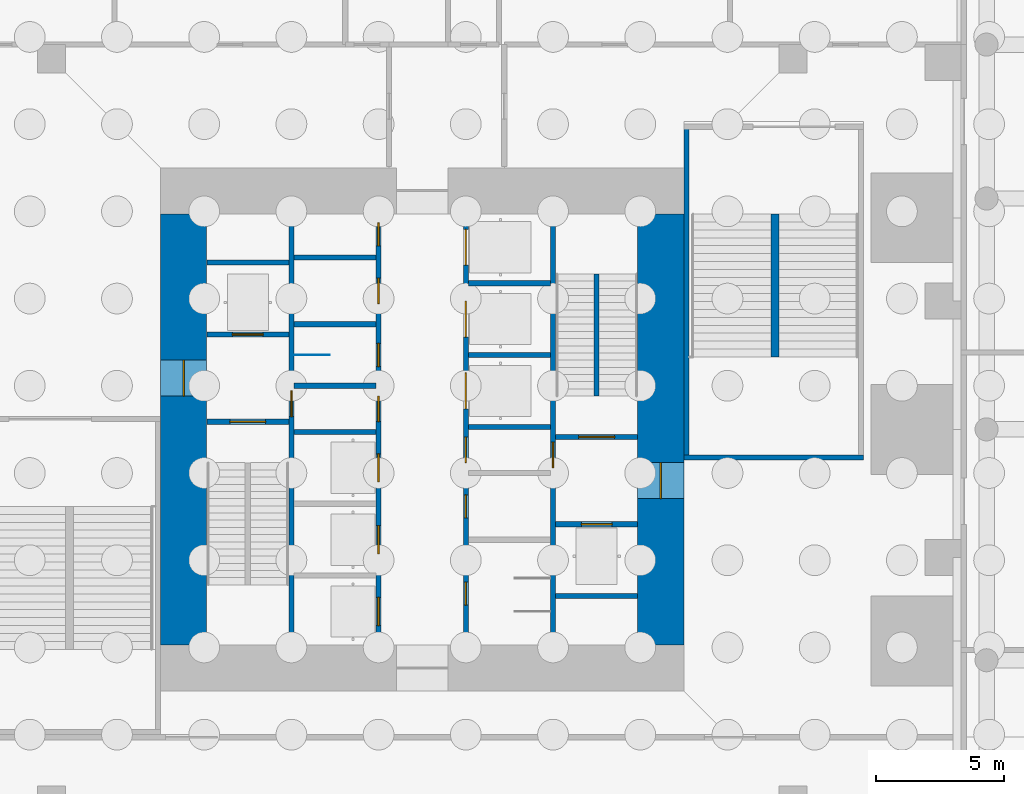
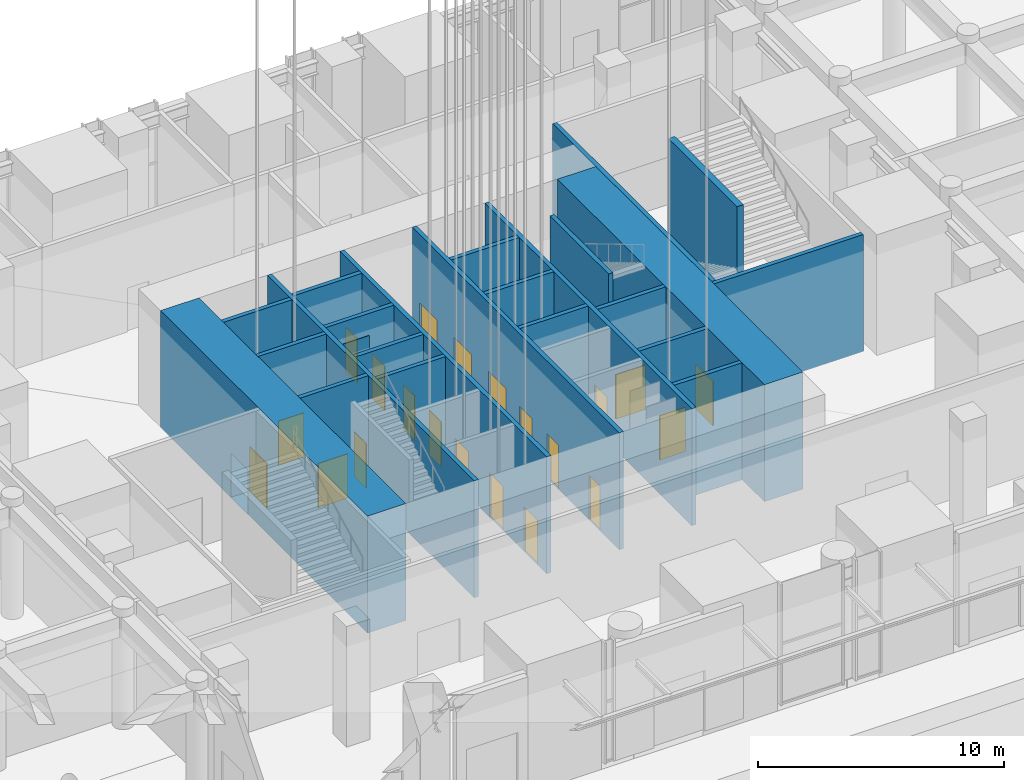
# One storey, part 23 of 46: 24 walls, 21 doors, 21 openings.
"""IFC4 building model written with IfcOpenShell, lengths in metres."""

from ifc_helpers import new_model, si_unit, direction, frame, frame_2d, origin, place, context, subcontext, project, spatial, rectangle, extrude, material, layer, layer_set, type_object, element, fill, save


model = new_model("IFC4")

# Units and contexts
model_context = context("Model", 3, precision=1e-05, world=origin(), true_north=direction((0.0, 1.0)))
body_context = subcontext(model_context, "Body", "Model", "MODEL_VIEW")
ifc_project = project(units=[si_unit("LENGTHUNIT", "METRE"), si_unit("AREAUNIT", "SQUARE_METRE"), si_unit("VOLUMEUNIT", "CUBIC_METRE"), si_unit("PLANEANGLEUNIT", "RADIAN"), si_unit("MASSUNIT", "GRAM", prefix="KILO")], contexts=[model_context])

# Site, building, storey
site_placement = place(None, origin())
site = spatial("IfcSite", under=ifc_project, at=site_placement, CompositionType="ELEMENT")
building_placement = place(site_placement, origin())
building = spatial("IfcBuilding", under=site, at=building_placement, Name="Svetlomir Tower", CompositionType="ELEMENT")
storey_placement = place(building_placement, origin())
storey = spatial("IfcBuildingStorey", under=building, at=storey_placement, Name="L00", CompositionType="ELEMENT", Elevation=0.0)

# Wall, opening, door
ifc_material_1 = material(Name="Concrete C60/75", Category="concrete")
ifc_layer_1 = layer(ifc_material_1, 0.199951171875)
ifc_layer_set_1 = layer_set([ifc_layer_1], Name="Concrete C60/75")
wall_type_1 = type_object("IfcWallType", Name="CORE INNER WALL 200", PredefinedType="SHEAR", material=ifc_layer_set_1)
wall_1_placement = place(storey_placement, frame((15.89990234375, 12.60009765625, 0.0), z_axis=(0.0, 0.0, 1.0), x_axis=(0.0, 1.0, 0.0)))
wall_1 = element("IfcWall", 1, at=wall_1_placement, inside=storey, type_object=wall_type_1, Name="Core inner wall 15.9 L00", PredefinedType="SHEAR", context=body_context, shape_type="SweptSolid", body=[
    extrude(rectangle(XDim=16.7998046875, YDim=0.199951171875, at=frame_2d((8.39990234375, 0.0))), origin(), (0.0, 0.0, 1.0), 5.800048828125),
])
opening_1_placement = place(wall_1_placement, frame((8.89990234375, 0.0, 0.0)))
opening_1 = element("IfcOpeningElement", 2, at=opening_1_placement, cuts=wall_1, Name="Opening DF", PredefinedType="OPENING", context=body_context, shape_type="SweptSolid", body=[
    extrude(rectangle(XDim=1.0, YDim=2.199951171875, at=frame_2d((0.5, 1.10009765625))), frame((0.0, 0.10986328125, 0.0), z_axis=(0.0, -1.0, 0.0), x_axis=(1.0, 0.0, 0.0)), (0.0, 0.0, 1.0), 0.219970703125),
])
ifc_material_2 = material(Name="Steel fire door", Category="steel")
door_type_1 = type_object("IfcDoorType", Name="DOOR DF 1000x2200", OperationType="SINGLE_SWING_LEFT", PredefinedType="DOOR", material=ifc_material_2)
door_1_placement = place(opening_1_placement, origin())
door_1 = element("IfcDoor", 3, at=door_1_placement, inside=storey, type_object=door_type_1, Name="Core corridor west door L00", OperationType="SINGLE_SWING_LEFT", OverallHeight=2.199951171875, OverallWidth=1.0, PredefinedType="DOOR", context=body_context, shape_type="SweptSolid", body=[
    extrude(rectangle(XDim=1.0, YDim=2.199951171875, at=frame_2d((0.5, 1.10009765625))), frame((0.0, 0.02490234375, 0.0), z_axis=(0.0, -1.0, 0.0), x_axis=(1.0, 0.0, 0.0)), (0.0, 0.0, 1.0), 0.050048828125),
])
fill(opening_1, door_1)

# Wall, openings, doors
wall_2_placement = place(storey_placement, frame((19.300048828125, 12.60009765625, 0.0), z_axis=(0.0, 0.0, 1.0), x_axis=(0.0, 1.0, 0.0)))
wall_2 = element("IfcWall", 4, at=wall_2_placement, inside=storey, type_object=wall_type_1, Name="Core inner wall 19.3 L00", PredefinedType="SHEAR", context=body_context, shape_type="SweptSolid", body=[
    extrude(rectangle(XDim=16.7998046875, YDim=0.199951171875, at=frame_2d((8.39990234375, 0.0))), origin(), (0.0, 0.0, 1.0), 5.800048828125),
])
opening_2_placement = place(wall_2_placement, frame((8.699951171875, 0.0, 0.0)))
opening_2 = element("IfcOpeningElement", 5, at=opening_2_placement, cuts=wall_2, Name="Opening DC", PredefinedType="OPENING", context=body_context, shape_type="SweptSolid", body=[
    extrude(rectangle(XDim=1.0, YDim=2.199951171875, at=frame_2d((0.5, 1.10009765625))), frame((0.0, 0.10986328125, 0.0), z_axis=(0.0, -1.0, 0.0), x_axis=(1.0, 0.0, 0.0)), (0.0, 0.0, 1.0), 0.219970703125),
])
opening_3_placement = place(wall_2_placement, frame((10.85009765625, 0.0, 0.0)))
opening_3 = element("IfcOpeningElement", 6, at=opening_3_placement, cuts=wall_2, Name="Opening DW", PredefinedType="OPENING", context=body_context, shape_type="SweptSolid", body=[
    extrude(rectangle(XDim=0.89990234375, YDim=2.199951171875, at=frame_2d((0.449951171875, 1.10009765625))), frame((0.0, 0.10986328125, 0.0), z_axis=(0.0, -1.0, 0.0), x_axis=(1.0, 0.0, 0.0)), (0.0, 0.0, 1.0), 0.219970703125),
])
opening_4_placement = place(wall_2_placement, frame((13.300048828125, 0.0, 0.0)))
opening_4 = element("IfcOpeningElement", 7, at=opening_4_placement, cuts=wall_2, Name="Opening DC", PredefinedType="OPENING", context=body_context, shape_type="SweptSolid", body=[
    extrude(rectangle(XDim=1.0, YDim=2.199951171875, at=frame_2d((0.5, 1.10009765625))), frame((0.0, 0.10986328125, 0.0), z_axis=(0.0, -1.0, 0.0), x_axis=(1.0, 0.0, 0.0)), (0.0, 0.0, 1.0), 0.219970703125),
])
opening_5_placement = place(wall_2_placement, frame((15.550048828125, 0.0, 0.0)))
opening_5 = element("IfcOpeningElement", 8, at=opening_5_placement, cuts=wall_2, Name="Opening DW", PredefinedType="OPENING", context=body_context, shape_type="SweptSolid", body=[
    extrude(rectangle(XDim=0.89990234375, YDim=2.199951171875, at=frame_2d((0.449951171875, 1.10009765625))), frame((0.0, 0.10986328125, 0.0), z_axis=(0.0, -1.0, 0.0), x_axis=(1.0, 0.0, 0.0)), (0.0, 0.0, 1.0), 0.219970703125),
])
opening_6_placement = place(wall_2_placement, frame((0.75, 0.0, 0.0)))
opening_6 = element("IfcOpeningElement", 9, at=opening_6_placement, cuts=wall_2, Name="Opening LD", PredefinedType="OPENING", context=body_context, shape_type="SweptSolid", body=[
    extrude(rectangle(XDim=1.10009765625, YDim=2.199951171875, at=frame_2d((0.550048828125, 1.10009765625))), frame((0.0, 0.10986328125, 0.0), z_axis=(0.0, -1.0, 0.0), x_axis=(1.0, 0.0, 0.0)), (0.0, 0.0, 1.0), 0.219970703125),
])
opening_7_placement = place(wall_2_placement, frame((3.550048828125, 0.0, 0.0)))
opening_7 = element("IfcOpeningElement", 10, at=opening_7_placement, cuts=wall_2, Name="Opening LD", PredefinedType="OPENING", context=body_context, shape_type="SweptSolid", body=[
    extrude(rectangle(XDim=1.10009765625, YDim=2.199951171875, at=frame_2d((0.550048828125, 1.10009765625))), frame((0.0, 0.10986328125, 0.0), z_axis=(0.0, -1.0, 0.0), x_axis=(1.0, 0.0, 0.0)), (0.0, 0.0, 1.0), 0.219970703125),
])
opening_8_placement = place(wall_2_placement, frame((6.35009765625, 0.0, 0.0)))
opening_8 = element("IfcOpeningElement", 11, at=opening_8_placement, cuts=wall_2, Name="Opening LD", PredefinedType="OPENING", context=body_context, shape_type="SweptSolid", body=[
    extrude(rectangle(XDim=1.10009765625, YDim=2.199951171875, at=frame_2d((0.550048828125, 1.10009765625))), frame((0.0, 0.10986328125, 0.0), z_axis=(0.0, -1.0, 0.0), x_axis=(1.0, 0.0, 0.0)), (0.0, 0.0, 1.0), 0.219970703125),
])
ifc_material_3 = material(Name="Timber fire door", Category="wood")
door_type_2 = type_object("IfcDoorType", Name="DOOR DC 1000x2200", OperationType="SINGLE_SWING_LEFT", PredefinedType="DOOR", material=ifc_material_3)
door_2_placement = place(opening_2_placement, origin())
door_2 = element("IfcDoor", 12, at=door_2_placement, inside=storey, type_object=door_type_2, Name="Core corridor west lobby door L00", OperationType="SINGLE_SWING_LEFT", OverallHeight=2.199951171875, OverallWidth=1.0, PredefinedType="DOOR", context=body_context, shape_type="SweptSolid", body=[
    extrude(rectangle(XDim=1.0, YDim=2.199951171875, at=frame_2d((0.5, 1.10009765625))), frame((0.0, 0.02490234375, 0.0), z_axis=(0.0, -1.0, 0.0), x_axis=(1.0, 0.0, 0.0)), (0.0, 0.0, 1.0), 0.050048828125),
])
fill(opening_2, door_2)
door_3_placement = place(opening_4_placement, origin())
door_3 = element("IfcDoor", 13, at=door_3_placement, inside=storey, type_object=door_type_2, Name="Accessible WC door L00", OperationType="SINGLE_SWING_RIGHT", OverallHeight=2.199951171875, OverallWidth=1.0, PredefinedType="DOOR", context=body_context, shape_type="SweptSolid", body=[
    extrude(rectangle(XDim=1.0, YDim=2.199951171875, at=frame_2d((0.5, 1.10009765625))), frame((0.0, 0.02490234375, 0.0), z_axis=(0.0, -1.0, 0.0), x_axis=(1.0, 0.0, 0.0)), (0.0, 0.0, 1.0), 0.050048828125),
])
fill(opening_4, door_3)
ifc_material_4 = material(Name="Timber fire door", Category="wood")
door_type_3 = type_object("IfcDoorType", Name="DOOR DW 900x2200", OperationType="SINGLE_SWING_LEFT", PredefinedType="DOOR", material=ifc_material_4)
door_4_placement = place(opening_3_placement, origin())
door_4 = element("IfcDoor", 14, at=door_4_placement, inside=storey, type_object=door_type_3, Name="Female WC door L00", OperationType="SINGLE_SWING_LEFT", OverallHeight=2.199951171875, OverallWidth=0.89990234375, PredefinedType="DOOR", context=body_context, shape_type="SweptSolid", body=[
    extrude(rectangle(XDim=0.89990234375, YDim=2.199951171875, at=frame_2d((0.449951171875, 1.10009765625))), frame((0.0, 0.02490234375, 0.0), z_axis=(0.0, -1.0, 0.0), x_axis=(1.0, 0.0, 0.0)), (0.0, 0.0, 1.0), 0.050048828125),
])
fill(opening_3, door_4)
door_5_placement = place(opening_5_placement, origin())
door_5 = element("IfcDoor", 15, at=door_5_placement, inside=storey, type_object=door_type_3, Name="Cleaner's store door L00", OperationType="SINGLE_SWING_LEFT", OverallHeight=2.199951171875, OverallWidth=0.89990234375, PredefinedType="DOOR", context=body_context, shape_type="SweptSolid", body=[
    extrude(rectangle(XDim=0.89990234375, YDim=2.199951171875, at=frame_2d((0.449951171875, 1.10009765625))), frame((0.0, 0.02490234375, 0.0), z_axis=(0.0, -1.0, 0.0), x_axis=(1.0, 0.0, 0.0)), (0.0, 0.0, 1.0), 0.050048828125),
])
fill(opening_5, door_5)
ifc_material_5 = material(Name="Stainless steel landing door", Category="steel")
door_type_4 = type_object("IfcDoorType", Name="LIFT LANDING DOOR LD 1100x2200", OperationType="DOUBLE_DOOR_SLIDING", PredefinedType="DOOR", material=ifc_material_5)
door_6_placement = place(opening_6_placement, origin())
door_6 = element("IfcDoor", 16, at=door_6_placement, inside=storey, type_object=door_type_4, Name="Landing door lift LA1 L00", OperationType="DOUBLE_DOOR_SLIDING", OverallHeight=2.199951171875, OverallWidth=1.10009765625, PredefinedType="DOOR", context=body_context, shape_type="SweptSolid", body=[
    extrude(rectangle(XDim=1.10009765625, YDim=2.199951171875, at=frame_2d((0.550048828125, 1.10009765625))), frame((0.0, 0.02490234375, 0.0), z_axis=(0.0, -1.0, 0.0), x_axis=(1.0, 0.0, 0.0)), (0.0, 0.0, 1.0), 0.050048828125),
])
fill(opening_6, door_6)
door_7_placement = place(opening_7_placement, origin())
door_7 = element("IfcDoor", 17, at=door_7_placement, inside=storey, type_object=door_type_4, Name="Landing door lift LA2 L00", OperationType="DOUBLE_DOOR_SLIDING", OverallHeight=2.199951171875, OverallWidth=1.10009765625, PredefinedType="DOOR", context=body_context, shape_type="SweptSolid", body=[
    extrude(rectangle(XDim=1.10009765625, YDim=2.199951171875, at=frame_2d((0.550048828125, 1.10009765625))), frame((0.0, 0.02490234375, 0.0), z_axis=(0.0, -1.0, 0.0), x_axis=(1.0, 0.0, 0.0)), (0.0, 0.0, 1.0), 0.050048828125),
])
fill(opening_7, door_7)
door_8_placement = place(opening_8_placement, origin())
door_8 = element("IfcDoor", 18, at=door_8_placement, inside=storey, type_object=door_type_4, Name="Landing door lift LA3 L00", OperationType="DOUBLE_DOOR_SLIDING", OverallHeight=2.199951171875, OverallWidth=1.10009765625, PredefinedType="DOOR", context=body_context, shape_type="SweptSolid", body=[
    extrude(rectangle(XDim=1.10009765625, YDim=2.199951171875, at=frame_2d((0.550048828125, 1.10009765625))), frame((0.0, 0.02490234375, 0.0), z_axis=(0.0, -1.0, 0.0), x_axis=(1.0, 0.0, 0.0)), (0.0, 0.0, 1.0), 0.050048828125),
])
fill(opening_8, door_8)

wall_3_placement = place(storey_placement, frame((22.699951171875, 12.60009765625, 0.0), z_axis=(0.0, 0.0, 1.0), x_axis=(0.0, 1.0, 0.0)))
wall_3 = element("IfcWall", 19, at=wall_3_placement, inside=storey, type_object=wall_type_1, Name="Core inner wall 22.7 L00", PredefinedType="SHEAR", context=body_context, shape_type="SweptSolid", body=[
    extrude(rectangle(XDim=16.7998046875, YDim=0.199951171875, at=frame_2d((8.39990234375, 0.0))), origin(), (0.0, 0.0, 1.0), 5.800048828125),
])
opening_9_placement = place(wall_3_placement, frame((7.10009765625, 0.0, 0.0)))
opening_9 = element("IfcOpeningElement", 20, at=opening_9_placement, cuts=wall_3, Name="Opening DC", PredefinedType="OPENING", context=body_context, shape_type="SweptSolid", body=[
    extrude(rectangle(XDim=1.0, YDim=2.199951171875, at=frame_2d((0.5, 1.10009765625))), frame((0.0, 0.10986328125, 0.0), z_axis=(0.0, -1.0, 0.0), x_axis=(1.0, 0.0, 0.0)), (0.0, 0.0, 1.0), 0.219970703125),
])
opening_10_placement = place(wall_3_placement, frame((1.550048828125, 0.0, 0.0)))
opening_10 = element("IfcOpeningElement", 21, at=opening_10_placement, cuts=wall_3, Name="Opening DW", PredefinedType="OPENING", context=body_context, shape_type="SweptSolid", body=[
    extrude(rectangle(XDim=0.89990234375, YDim=2.199951171875, at=frame_2d((0.449951171875, 1.10009765625))), frame((0.0, 0.10986328125, 0.0), z_axis=(0.0, -1.0, 0.0), x_axis=(1.0, 0.0, 0.0)), (0.0, 0.0, 1.0), 0.219970703125),
])
opening_11_placement = place(wall_3_placement, frame((4.949951171875, 0.0, 0.0)))
opening_11 = element("IfcOpeningElement", 22, at=opening_11_placement, cuts=wall_3, Name="Opening DW", PredefinedType="OPENING", context=body_context, shape_type="SweptSolid", body=[
    extrude(rectangle(XDim=0.89990234375, YDim=2.199951171875, at=frame_2d((0.449951171875, 1.10009765625))), frame((0.0, 0.10986328125, 0.0), z_axis=(0.0, -1.0, 0.0), x_axis=(1.0, 0.0, 0.0)), (0.0, 0.0, 1.0), 0.219970703125),
])
opening_12_placement = place(wall_3_placement, frame((9.199951171875, 0.0, 0.0)))
opening_12 = element("IfcOpeningElement", 23, at=opening_12_placement, cuts=wall_3, Name="Opening LD2", PredefinedType="OPENING", context=body_context, shape_type="SweptSolid", body=[
    extrude(rectangle(XDim=1.39990234375, YDim=2.39990234375, at=frame_2d((0.699951171875, 1.199951171875))), frame((0.0, 0.10986328125, 0.0), z_axis=(0.0, -1.0, 0.0), x_axis=(1.0, 0.0, 0.0)), (0.0, 0.0, 1.0), 0.219970703125),
])
opening_13_placement = place(wall_3_placement, frame((12.0, 0.0, 0.0)))
opening_13 = element("IfcOpeningElement", 24, at=opening_13_placement, cuts=wall_3, Name="Opening LD2", PredefinedType="OPENING", context=body_context, shape_type="SweptSolid", body=[
    extrude(rectangle(XDim=1.39990234375, YDim=2.39990234375, at=frame_2d((0.699951171875, 1.199951171875))), frame((0.0, 0.10986328125, 0.0), z_axis=(0.0, -1.0, 0.0), x_axis=(1.0, 0.0, 0.0)), (0.0, 0.0, 1.0), 0.219970703125),
])
opening_14_placement = place(wall_3_placement, frame((14.800048828125, 0.0, 0.0)))
opening_14 = element("IfcOpeningElement", 25, at=opening_14_placement, cuts=wall_3, Name="Opening LD2", PredefinedType="OPENING", context=body_context, shape_type="SweptSolid", body=[
    extrude(rectangle(XDim=1.39990234375, YDim=2.39990234375, at=frame_2d((0.699951171875, 1.199951171875))), frame((0.0, 0.10986328125, 0.0), z_axis=(0.0, -1.0, 0.0), x_axis=(1.0, 0.0, 0.0)), (0.0, 0.0, 1.0), 0.219970703125),
])
door_9_placement = place(opening_9_placement, origin())
door_9 = element("IfcDoor", 26, at=door_9_placement, inside=storey, type_object=door_type_2, Name="Core corridor east lobby door L00", OperationType="SINGLE_SWING_RIGHT", OverallHeight=2.199951171875, OverallWidth=1.0, PredefinedType="DOOR", context=body_context, shape_type="SweptSolid", body=[
    extrude(rectangle(XDim=1.0, YDim=2.199951171875, at=frame_2d((0.5, 1.10009765625))), frame((0.0, 0.02490234375, 0.0), z_axis=(0.0, -1.0, 0.0), x_axis=(1.0, 0.0, 0.0)), (0.0, 0.0, 1.0), 0.050048828125),
])
fill(opening_9, door_9)
door_10_placement = place(opening_10_placement, origin())
door_10 = element("IfcDoor", 27, at=door_10_placement, inside=storey, type_object=door_type_3, Name="Male WC door L00", OperationType="SINGLE_SWING_RIGHT", OverallHeight=2.199951171875, OverallWidth=0.89990234375, PredefinedType="DOOR", context=body_context, shape_type="SweptSolid", body=[
    extrude(rectangle(XDim=0.89990234375, YDim=2.199951171875, at=frame_2d((0.449951171875, 1.10009765625))), frame((0.0, 0.02490234375, 0.0), z_axis=(0.0, -1.0, 0.0), x_axis=(1.0, 0.0, 0.0)), (0.0, 0.0, 1.0), 0.050048828125),
])
fill(opening_10, door_10)
door_11_placement = place(opening_11_placement, origin())
door_11 = element("IfcDoor", 28, at=door_11_placement, inside=storey, type_object=door_type_3, Name="Comms room door L00", OperationType="SINGLE_SWING_LEFT", OverallHeight=2.199951171875, OverallWidth=0.89990234375, PredefinedType="DOOR", context=body_context, shape_type="SweptSolid", body=[
    extrude(rectangle(XDim=0.89990234375, YDim=2.199951171875, at=frame_2d((0.449951171875, 1.10009765625))), frame((0.0, 0.02490234375, 0.0), z_axis=(0.0, -1.0, 0.0), x_axis=(1.0, 0.0, 0.0)), (0.0, 0.0, 1.0), 0.050048828125),
])
fill(opening_11, door_11)
ifc_material_6 = material(Name="Stainless steel landing door", Category="steel")
door_type_5 = type_object("IfcDoorType", Name="LIFT LANDING DOOR LD2 1400x2400", OperationType="DOUBLE_DOOR_SLIDING", PredefinedType="DOOR", material=ifc_material_6)
door_12_placement = place(opening_12_placement, origin())
door_12 = element("IfcDoor", 29, at=door_12_placement, inside=storey, type_object=door_type_5, Name="Landing door lift SH1 L00", OperationType="DOUBLE_DOOR_SLIDING", OverallHeight=2.39990234375, OverallWidth=1.39990234375, PredefinedType="DOOR", context=body_context, shape_type="SweptSolid", body=[
    extrude(rectangle(XDim=1.39990234375, YDim=2.39990234375, at=frame_2d((0.699951171875, 1.199951171875))), frame((0.0, 0.02490234375, 0.0), z_axis=(0.0, -1.0, 0.0), x_axis=(1.0, 0.0, 0.0)), (0.0, 0.0, 1.0), 0.050048828125),
])
fill(opening_12, door_12)
door_13_placement = place(opening_13_placement, origin())
door_13 = element("IfcDoor", 30, at=door_13_placement, inside=storey, type_object=door_type_5, Name="Landing door lift SH2 L00", OperationType="DOUBLE_DOOR_SLIDING", OverallHeight=2.39990234375, OverallWidth=1.39990234375, PredefinedType="DOOR", context=body_context, shape_type="SweptSolid", body=[
    extrude(rectangle(XDim=1.39990234375, YDim=2.39990234375, at=frame_2d((0.699951171875, 1.199951171875))), frame((0.0, 0.02490234375, 0.0), z_axis=(0.0, -1.0, 0.0), x_axis=(1.0, 0.0, 0.0)), (0.0, 0.0, 1.0), 0.050048828125),
])
fill(opening_13, door_13)
door_14_placement = place(opening_14_placement, origin())
door_14 = element("IfcDoor", 31, at=door_14_placement, inside=storey, type_object=door_type_5, Name="Landing door lift SH3 L00", OperationType="DOUBLE_DOOR_SLIDING", OverallHeight=2.39990234375, OverallWidth=1.39990234375, PredefinedType="DOOR", context=body_context, shape_type="SweptSolid", body=[
    extrude(rectangle(XDim=1.39990234375, YDim=2.39990234375, at=frame_2d((0.699951171875, 1.199951171875))), frame((0.0, 0.02490234375, 0.0), z_axis=(0.0, -1.0, 0.0), x_axis=(1.0, 0.0, 0.0)), (0.0, 0.0, 1.0), 0.050048828125),
])
fill(opening_14, door_14)

# Wall, opening, door
wall_4_placement = place(storey_placement, frame((26.10009765625, 12.60009765625, 0.0), z_axis=(0.0, 0.0, 1.0), x_axis=(0.0, 1.0, 0.0)))
wall_4 = element("IfcWall", 32, at=wall_4_placement, inside=storey, type_object=wall_type_1, Name="Core inner wall 26.1 L00", PredefinedType="SHEAR", context=body_context, shape_type="SweptSolid", body=[
    extrude(rectangle(XDim=16.7998046875, YDim=0.199951171875, at=frame_2d((8.39990234375, 0.0))), origin(), (0.0, 0.0, 1.0), 5.800048828125),
])
opening_15_placement = place(wall_4_placement, frame((6.89990234375, 0.0, 0.0)))
opening_15 = element("IfcOpeningElement", 33, at=opening_15_placement, cuts=wall_4, Name="Opening DF", PredefinedType="OPENING", context=body_context, shape_type="SweptSolid", body=[
    extrude(rectangle(XDim=1.0, YDim=2.199951171875, at=frame_2d((0.5, 1.10009765625))), frame((0.0, 0.10986328125, 0.0), z_axis=(0.0, -1.0, 0.0), x_axis=(1.0, 0.0, 0.0)), (0.0, 0.0, 1.0), 0.219970703125),
])
door_15_placement = place(opening_15_placement, origin())
door_15 = element("IfcDoor", 34, at=door_15_placement, inside=storey, type_object=door_type_1, Name="Core corridor east door L00", OperationType="SINGLE_SWING_LEFT", OverallHeight=2.199951171875, OverallWidth=1.0, PredefinedType="DOOR", context=body_context, shape_type="SweptSolid", body=[
    extrude(rectangle(XDim=1.0, YDim=2.199951171875, at=frame_2d((0.5, 1.10009765625))), frame((0.0, 0.02490234375, 0.0), z_axis=(0.0, -1.0, 0.0), x_axis=(1.0, 0.0, 0.0)), (0.0, 0.0, 1.0), 0.050048828125),
])
fill(opening_15, door_15)

wall_5_placement = place(storey_placement, frame((12.60009765625, 21.300048828125, 0.0), z_axis=(0.0, 0.0, 1.0), x_axis=(1.0, 0.0, 0.0)))
wall_5 = element("IfcWall", 35, at=wall_5_placement, inside=storey, type_object=wall_type_1, Name="Core inner wall 12.6-15.8/21.3 L00", PredefinedType="SHEAR", context=body_context, shape_type="SweptSolid", body=[
    extrude(rectangle(XDim=3.199951171875, YDim=0.199951171875, at=frame_2d((1.60009765625, 0.0))), origin(), (0.0, 0.0, 1.0), 5.800048828125),
])
opening_16_placement = place(wall_5_placement, frame((0.89990234375, 0.0, 0.0)))
opening_16 = element("IfcOpeningElement", 36, at=opening_16_placement, cuts=wall_5, Name="Opening DF2", PredefinedType="OPENING", context=body_context, shape_type="SweptSolid", body=[
    extrude(rectangle(XDim=1.39990234375, YDim=2.199951171875, at=frame_2d((0.699951171875, 1.10009765625))), frame((0.0, 0.10986328125, 0.0), z_axis=(0.0, -1.0, 0.0), x_axis=(1.0, 0.0, 0.0)), (0.0, 0.0, 1.0), 0.219970703125),
])
ifc_material_7 = material(Name="Steel fire door", Category="steel")
door_type_6 = type_object("IfcDoorType", Name="DOOR DF2 1400x2200", OperationType="SINGLE_SWING_LEFT", PredefinedType="DOOR", material=ifc_material_7)
door_16_placement = place(opening_16_placement, origin())
door_16 = element("IfcDoor", 37, at=door_16_placement, inside=storey, type_object=door_type_6, Name="Stair S1 door L00", OperationType="SINGLE_SWING_LEFT", OverallHeight=2.199951171875, OverallWidth=1.39990234375, PredefinedType="DOOR", context=body_context, shape_type="SweptSolid", body=[
    extrude(rectangle(XDim=1.39990234375, YDim=2.199951171875, at=frame_2d((0.699951171875, 1.10009765625))), frame((0.0, 0.02490234375, 0.0), z_axis=(0.0, -1.0, 0.0), x_axis=(1.0, 0.0, 0.0)), (0.0, 0.0, 1.0), 0.050048828125),
])
fill(opening_16, door_16)

wall_6_placement = place(storey_placement, frame((12.60009765625, 24.699951171875, 0.0), z_axis=(0.0, 0.0, 1.0), x_axis=(1.0, 0.0, 0.0)))
wall_6 = element("IfcWall", 38, at=wall_6_placement, inside=storey, type_object=wall_type_1, Name="Core inner wall 12.6-15.8/24.7 L00", PredefinedType="SHEAR", context=body_context, shape_type="SweptSolid", body=[
    extrude(rectangle(XDim=3.199951171875, YDim=0.199951171875, at=frame_2d((1.60009765625, 0.0))), origin(), (0.0, 0.0, 1.0), 5.800048828125),
])
opening_17_placement = place(wall_6_placement, frame((1.0, 0.0, 0.0)))
opening_17 = element("IfcOpeningElement", 39, at=opening_17_placement, cuts=wall_6, Name="Opening LD3", PredefinedType="OPENING", context=body_context, shape_type="SweptSolid", body=[
    extrude(rectangle(XDim=1.199951171875, YDim=2.199951171875, at=frame_2d((0.60009765625, 1.10009765625))), frame((0.0, 0.10986328125, 0.0), z_axis=(0.0, -1.0, 0.0), x_axis=(1.0, 0.0, 0.0)), (0.0, 0.0, 1.0), 0.219970703125),
])
ifc_material_8 = material(Name="Stainless steel fire-rated landing door", Category="steel")
door_type_7 = type_object("IfcDoorType", Name="FIREFIGHTING LIFT LANDING DOOR LD3 1200x2200", OperationType="DOUBLE_DOOR_SLIDING", PredefinedType="DOOR", material=ifc_material_8)
door_17_placement = place(opening_17_placement, origin())
door_17 = element("IfcDoor", 40, at=door_17_placement, inside=storey, type_object=door_type_7, Name="Landing door lift FL1 L00", OperationType="DOUBLE_DOOR_SLIDING", OverallHeight=2.199951171875, OverallWidth=1.199951171875, PredefinedType="DOOR", context=body_context, shape_type="SweptSolid", body=[
    extrude(rectangle(XDim=1.199951171875, YDim=2.199951171875, at=frame_2d((0.60009765625, 1.10009765625))), frame((0.0, 0.02490234375, 0.0), z_axis=(0.0, -1.0, 0.0), x_axis=(1.0, 0.0, 0.0)), (0.0, 0.0, 1.0), 0.050048828125),
])
fill(opening_17, door_17)

# Walls
for number, where, z_axis, x_axis, name in (
    (41, (12.60009765625, 27.5, 0.0), (0.0, 0.0, 1.0), (1.0, 0.0, 0.0), "Core inner wall 12.6-15.8/27.5 L00"),
    (42, (16.0, 20.89990234375, 0.0), (0.0, 0.0, 1.0), (1.0, 0.0, 0.0), "Core inner wall 16-19.2/20.9 L00"),
    (43, (16.0, 22.699951171875, 0.0), (0.0, 0.0, 1.0), (1.0, 0.0, 0.0), "Core inner wall 16-19.2/22.7 L00"),
    (44, (16.0, 25.10009765625, 0.0), (0.0, 0.0, 1.0), (1.0, 0.0, 0.0), "Core inner wall 16-19.2/25.1 L00"),
    (45, (16.0, 27.699951171875, 0.0), (0.0, 0.0, 1.0), (1.0, 0.0, 0.0), "Core inner wall 16-19.2/27.7 L00"),
    (46, (22.800048828125, 21.10009765625, 0.0), (0.0, 0.0, 1.0), (1.0, 0.0, 0.0), "Core inner wall 22.8-26/21.1 L00"),
    (47, (22.800048828125, 23.89990234375, 0.0), (0.0, 0.0, 1.0), (1.0, 0.0, 0.0), "Core inner wall 22.8-26/23.9 L00"),
    (48, (22.800048828125, 26.699951171875, 0.0), (0.0, 0.0, 1.0), (1.0, 0.0, 0.0), "Core inner wall 22.8-26/26.7 L00"),
    (49, (26.199951171875, 14.5, 0.0), (0.0, 0.0, 1.0), (1.0, 0.0, 0.0), "Core inner wall 26.2-29.4/14.5 L00"),
):
    element("IfcWall", number, at=place(storey_placement, frame(where, z_axis=z_axis, x_axis=x_axis)), inside=storey, type_object=wall_type_1, Name=name, PredefinedType="SHEAR", context=body_context, shape_type="SweptSolid", body=[
        extrude(rectangle(XDim=3.199951171875, YDim=0.199951171875, at=frame_2d((1.60009765625, 0.0))), origin(), (0.0, 0.0, 1.0), 5.800048828125),
    ])

# Wall, opening, door
wall_7_placement = place(storey_placement, frame((26.199951171875, 17.300048828125, 0.0), z_axis=(0.0, 0.0, 1.0), x_axis=(1.0, 0.0, 0.0)))
wall_7 = element("IfcWall", 50, at=wall_7_placement, inside=storey, type_object=wall_type_1, Name="Core inner wall 26.2-29.4/17.3 L00", PredefinedType="SHEAR", context=body_context, shape_type="SweptSolid", body=[
    extrude(rectangle(XDim=3.199951171875, YDim=0.199951171875, at=frame_2d((1.60009765625, 0.0))), origin(), (0.0, 0.0, 1.0), 5.800048828125),
])
opening_18_placement = place(wall_7_placement, frame((1.0, 0.0, 0.0)))
opening_18 = element("IfcOpeningElement", 51, at=opening_18_placement, cuts=wall_7, Name="Opening LD3", PredefinedType="OPENING", context=body_context, shape_type="SweptSolid", body=[
    extrude(rectangle(XDim=1.199951171875, YDim=2.199951171875, at=frame_2d((0.60009765625, 1.10009765625))), frame((0.0, 0.10986328125, 0.0), z_axis=(0.0, -1.0, 0.0), x_axis=(1.0, 0.0, 0.0)), (0.0, 0.0, 1.0), 0.219970703125),
])
door_18_placement = place(opening_18_placement, origin())
door_18 = element("IfcDoor", 52, at=door_18_placement, inside=storey, type_object=door_type_7, Name="Landing door lift FL2 L00", OperationType="DOUBLE_DOOR_SLIDING", OverallHeight=2.199951171875, OverallWidth=1.199951171875, PredefinedType="DOOR", context=body_context, shape_type="SweptSolid", body=[
    extrude(rectangle(XDim=1.199951171875, YDim=2.199951171875, at=frame_2d((0.60009765625, 1.10009765625))), frame((0.0, 0.02490234375, 0.0), z_axis=(0.0, -1.0, 0.0), x_axis=(1.0, 0.0, 0.0)), (0.0, 0.0, 1.0), 0.050048828125),
])
fill(opening_18, door_18)

wall_8_placement = place(storey_placement, frame((26.199951171875, 20.699951171875, 0.0), z_axis=(0.0, 0.0, 1.0), x_axis=(1.0, 0.0, 0.0)))
wall_8 = element("IfcWall", 53, at=wall_8_placement, inside=storey, type_object=wall_type_1, Name="Core inner wall 26.2-29.4/20.7 L00", PredefinedType="SHEAR", context=body_context, shape_type="SweptSolid", body=[
    extrude(rectangle(XDim=3.199951171875, YDim=0.199951171875, at=frame_2d((1.60009765625, 0.0))), origin(), (0.0, 0.0, 1.0), 5.800048828125),
])
opening_19_placement = place(wall_8_placement, frame((0.89990234375, 0.0, 0.0)))
opening_19 = element("IfcOpeningElement", 54, at=opening_19_placement, cuts=wall_8, Name="Opening DF2", PredefinedType="OPENING", context=body_context, shape_type="SweptSolid", body=[
    extrude(rectangle(XDim=1.39990234375, YDim=2.199951171875, at=frame_2d((0.699951171875, 1.10009765625))), frame((0.0, 0.10986328125, 0.0), z_axis=(0.0, -1.0, 0.0), x_axis=(1.0, 0.0, 0.0)), (0.0, 0.0, 1.0), 0.219970703125),
])
door_19_placement = place(opening_19_placement, origin())
door_19 = element("IfcDoor", 55, at=door_19_placement, inside=storey, type_object=door_type_6, Name="Stair S2 door L00", OperationType="SINGLE_SWING_RIGHT", OverallHeight=2.199951171875, OverallWidth=1.39990234375, PredefinedType="DOOR", context=body_context, shape_type="SweptSolid", body=[
    extrude(rectangle(XDim=1.39990234375, YDim=2.199951171875, at=frame_2d((0.699951171875, 1.10009765625))), frame((0.0, 0.02490234375, 0.0), z_axis=(0.0, -1.0, 0.0), x_axis=(1.0, 0.0, 0.0)), (0.0, 0.0, 1.0), 0.050048828125),
])
fill(opening_19, door_19)

ifc_material_9 = material(Name="Concrete C60/75", Category="concrete")
ifc_layer_2 = layer(ifc_material_9, 1.800048828125)
ifc_layer_set_2 = layer_set([ifc_layer_2], Name="Concrete C60/75")
wall_type_2 = type_object("IfcWallType", Name="CORE WALL 1800", PredefinedType="SHEAR", material=ifc_layer_set_2)
wall_9_placement = place(storey_placement, frame((11.699951171875, 12.60009765625, 0.0), z_axis=(0.0, 0.0, 1.0), x_axis=(0.0, 1.0, 0.0)))
wall_9 = element("IfcWall", 56, at=wall_9_placement, inside=storey, type_object=wall_type_2, Name="Core wall west L00", PredefinedType="SHEAR", context=body_context, shape_type="SweptSolid", body=[
    extrude(rectangle(XDim=16.7998046875, YDim=1.800048828125, at=frame_2d((8.39990234375, 0.0))), origin(), (0.0, 0.0, 1.0), 5.800048828125),
])
opening_20_placement = place(wall_9_placement, frame((9.699951171875, 0.0, 0.0)))
opening_20 = element("IfcOpeningElement", 57, at=opening_20_placement, cuts=wall_9, Name="Opening DF2", PredefinedType="OPENING", context=body_context, shape_type="SweptSolid", body=[
    extrude(rectangle(XDim=1.39990234375, YDim=2.199951171875, at=frame_2d((0.699951171875, 1.10009765625))), frame((0.0, 0.91015625, 0.0), z_axis=(0.0, -1.0, 0.0), x_axis=(1.0, 0.0, 0.0)), (0.0, 0.0, 1.0), 1.820068359375),
])
door_20_placement = place(opening_20_placement, origin())
door_20 = element("IfcDoor", 58, at=door_20_placement, inside=storey, type_object=door_type_6, Name="Firefighting lobby west door L00", OperationType="SINGLE_SWING_LEFT", OverallHeight=2.199951171875, OverallWidth=1.39990234375, PredefinedType="DOOR", context=body_context, shape_type="SweptSolid", body=[
    extrude(rectangle(XDim=1.39990234375, YDim=2.199951171875, at=frame_2d((0.699951171875, 1.10009765625))), frame((0.0, 0.02490234375, 0.0), z_axis=(0.0, -1.0, 0.0), x_axis=(1.0, 0.0, 0.0)), (0.0, 0.0, 1.0), 0.050048828125),
])
fill(opening_20, door_20)

wall_10_placement = place(storey_placement, frame((30.300048828125, 12.60009765625, 0.0), z_axis=(0.0, 0.0, 1.0), x_axis=(0.0, 1.0, 0.0)))
wall_10 = element("IfcWall", 59, at=wall_10_placement, inside=storey, type_object=wall_type_2, Name="Core wall east L00", PredefinedType="SHEAR", context=body_context, shape_type="SweptSolid", body=[
    extrude(rectangle(XDim=16.7998046875, YDim=1.800048828125, at=frame_2d((8.39990234375, 0.0))), origin(), (0.0, 0.0, 1.0), 5.800048828125),
])
opening_21_placement = place(wall_10_placement, frame((5.699951171875, 0.0, 0.0)))
opening_21 = element("IfcOpeningElement", 60, at=opening_21_placement, cuts=wall_10, Name="Opening DF2", PredefinedType="OPENING", context=body_context, shape_type="SweptSolid", body=[
    extrude(rectangle(XDim=1.39990234375, YDim=2.199951171875, at=frame_2d((0.699951171875, 1.10009765625))), frame((0.0, 0.91015625, 0.0), z_axis=(0.0, -1.0, 0.0), x_axis=(1.0, 0.0, 0.0)), (0.0, 0.0, 1.0), 1.820068359375),
])
door_21_placement = place(opening_21_placement, origin())
door_21 = element("IfcDoor", 61, at=door_21_placement, inside=storey, type_object=door_type_6, Name="Firefighting lobby east door L00", OperationType="SINGLE_SWING_RIGHT", OverallHeight=2.199951171875, OverallWidth=1.39990234375, PredefinedType="DOOR", context=body_context, shape_type="SweptSolid", body=[
    extrude(rectangle(XDim=1.39990234375, YDim=2.199951171875, at=frame_2d((0.699951171875, 1.10009765625))), frame((0.0, 0.02490234375, 0.0), z_axis=(0.0, -1.0, 0.0), x_axis=(1.0, 0.0, 0.0)), (0.0, 0.0, 1.0), 0.050048828125),
])
fill(opening_21, door_21)

# Walls
ifc_material_10 = material(Name="Concrete C60/75", Category="concrete")
ifc_layer_3 = layer(ifc_material_10, 0.199951171875)
ifc_layer_set_3 = layer_set([ifc_layer_3], Name="Concrete C60/75")
wall_type_3 = type_object("IfcWallType", Name="STAIR CORE WALL RC 200", PredefinedType="SOLIDWALL", material=ifc_layer_set_3)
wall_11_placement = place(storey_placement, frame((31.199951171875, 19.89990234375, 0.0), z_axis=(0.0, 0.0, 1.0), x_axis=(1.0, 0.0, 0.0)))
element("IfcWall", 62, at=wall_11_placement, inside=storey, type_object=wall_type_3, Name="Stair P2 enclosure wall L00", PredefinedType="SOLIDWALL", context=body_context, shape_type="SweptSolid", body=[
    extrude(rectangle(XDim=7.0, YDim=0.199951171875, at=frame_2d((3.5, 0.0))), origin(), (0.0, 0.0, 1.0), 5.800048828125),
])
wall_12_placement = place(storey_placement, frame((31.300048828125, 32.89990234375, 0.0), z_axis=(0.0, 0.0, 1.0), x_axis=(0.0, -1.0, 0.0)))
element("IfcWall", 63, at=wall_12_placement, inside=storey, type_object=wall_type_3, Name="Stair P2 enclosure wall L00", PredefinedType="SOLIDWALL", context=body_context, shape_type="SweptSolid", body=[
    extrude(rectangle(XDim=13.099853515625, YDim=0.199951171875, at=frame_2d((6.5498046875, 0.0))), origin(), (0.0, 0.0, 1.0), 5.800048828125),
])
ifc_material_11 = material(Name="Concrete C60/75", Category="concrete")
ifc_layer_4 = layer(ifc_material_11, 0.199951171875)
ifc_layer_set_4 = layer_set([ifc_layer_4], Name="Concrete C60/75")
wall_type_4 = type_object("IfcWallType", Name="STAIR SPINE WALL 200", PredefinedType="PARTITIONING", material=ifc_layer_set_4)
wall_13_placement = place(storey_placement, frame((27.800048828125, 22.300048828125, 0.0), z_axis=(0.0, 0.0, 1.0), x_axis=(0.0, 1.0, 0.0)))
element("IfcWall", 64, at=wall_13_placement, inside=storey, type_object=wall_type_4, Name="Stair S2 spine wall L00", PredefinedType="PARTITIONING", context=body_context, shape_type="SweptSolid", body=[
    extrude(rectangle(XDim=4.760009765625, YDim=0.199951171875, at=frame_2d((2.3798828125, 0.0))), origin(), (0.0, 0.0, 1.0), 6.0),
])
ifc_material_12 = material(Name="Concrete C60/75", Category="concrete")
ifc_layer_5 = layer(ifc_material_12, 0.300048828125)
ifc_layer_set_5 = layer_set([ifc_layer_5], Name="Concrete C60/75")
wall_type_5 = type_object("IfcWallType", Name="STAIR SPINE WALL 300", PredefinedType="PARTITIONING", material=ifc_layer_set_5)
wall_14_placement = place(storey_placement, frame((34.75, 23.820068359375, 0.0), z_axis=(0.0, 0.0, 1.0), x_axis=(0.0, 1.0, 0.0)))
element("IfcWall", 65, at=wall_14_placement, inside=storey, type_object=wall_type_5, Name="Stair P2 spine wall L00", PredefinedType="PARTITIONING", context=body_context, shape_type="SweptSolid", body=[
    extrude(rectangle(XDim=5.579833984375, YDim=0.300048828125, at=frame_2d((2.7900390625, 0.0))), origin(), (0.0, 0.0, 1.0), 6.0),
])
ifc_material_13 = material(Name="Compact laminate panel", Category="plastic")
ifc_layer_6 = layer(ifc_material_13, 0.030029296875)
ifc_layer_set_6 = layer_set([ifc_layer_6], Name="Compact laminate panel")
wall_type_6 = type_object("IfcWallType", Name="WC CUBICLE PARTITION 30", PredefinedType="PARTITIONING", material=ifc_layer_set_6)
wall_15_placement = place(storey_placement, frame((16.0, 23.89990234375, 0.0), z_axis=(0.0, 0.0, 1.0), x_axis=(1.0, 0.0, 0.0)))
element("IfcWall", 66, at=wall_15_placement, inside=storey, type_object=wall_type_6, Name="WC cubicle partition L00", PredefinedType="PARTITIONING", context=body_context, shape_type="SweptSolid", body=[
    extrude(rectangle(XDim=1.39990234375, YDim=0.030029296875, at=frame_2d((0.699951171875, 0.0))), origin(), (0.0, 0.0, 1.0), 5.60009765625),
])

save(model, "model.ifc")
